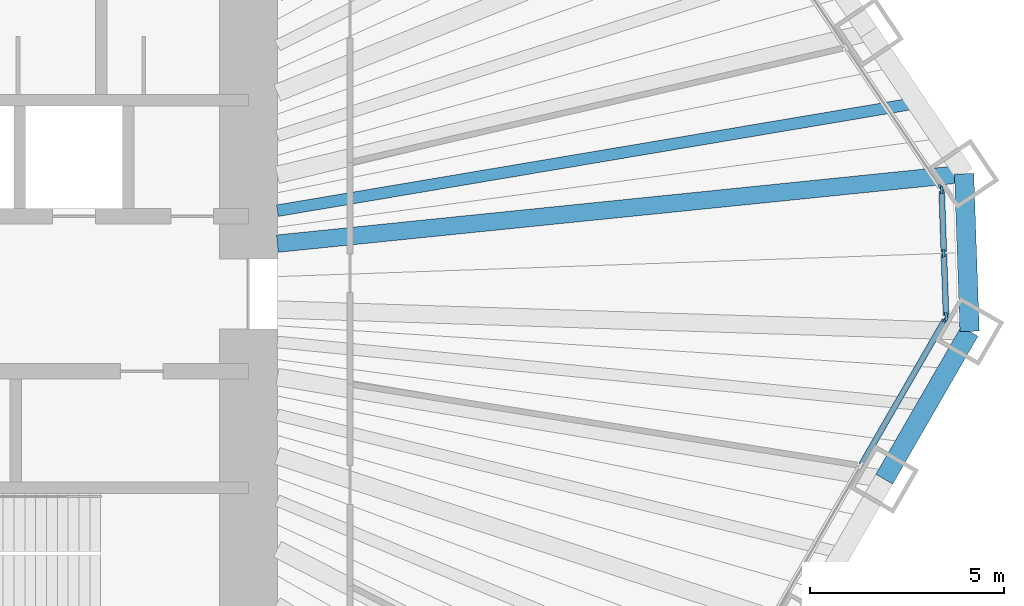
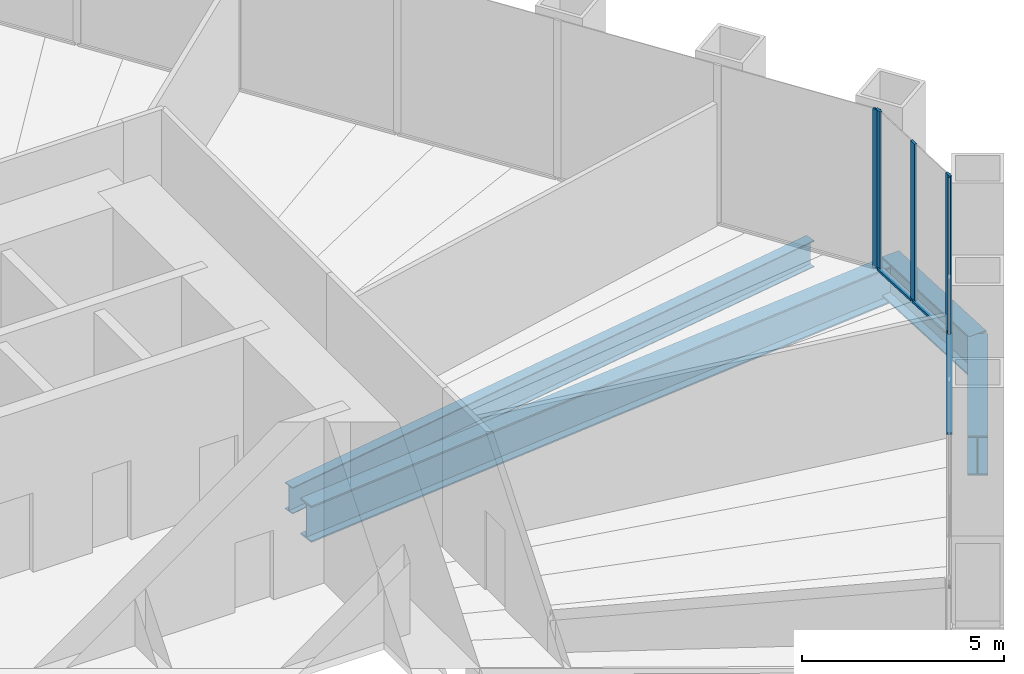
# One storey, part 5 of 13: 8 members, 4 beams, 3 elements without a shape of their own.
"""IFC4 building model written with IfcOpenShell, lengths in metres."""

from ifc_helpers import new_model, si_unit, direction, frame, origin, origin_2d, place, context, subcontext, project, spatial, rectangle, i_section, extrude, material, material_profile, profile_set, type_object, element, aggregate, save


model = new_model("IFC4")

# Units and contexts
model_context = context("Model", 3, precision=1e-05, world=origin(), true_north=direction((0.0, 1.0)))
body_context = subcontext(model_context, "Body", "Model", "MODEL_VIEW")
ifc_project = project(units=[si_unit("LENGTHUNIT", "METRE"), si_unit("AREAUNIT", "SQUARE_METRE"), si_unit("VOLUMEUNIT", "CUBIC_METRE"), si_unit("PLANEANGLEUNIT", "RADIAN"), si_unit("MASSUNIT", "GRAM", prefix="KILO")], contexts=[model_context])

# Site, building, storey
site_placement = place(None, origin())
site = spatial("IfcSite", under=ifc_project, at=site_placement, CompositionType="ELEMENT")
building_placement = place(site_placement, origin())
building = spatial("IfcBuilding", under=site, at=building_placement, Name="Qingtian Harvest Tower", CompositionType="ELEMENT")
storey_placement = place(building_placement, frame((0.0, 0.0, 72.0)))
storey = spatial("IfcBuildingStorey", under=building, at=storey_placement, Name="L14", CompositionType="ELEMENT", Elevation=72.0)

# Beams
ifc_material_1 = material(Name="Steel SM570MC", Category="steel")
ifc_material_profile_1 = material_profile(ifc_material_1, i_section(OverallWidth=0.449951171875, OverallDepth=1.10009765625, WebThickness=0.02197265625, FlangeThickness=0.044921875, at=origin_2d()), Name="H1100x450x22x45")
ifc_profile_set_1 = profile_set([ifc_material_profile_1], Name="Steel SM570MC")
beam_type_1 = type_object("IfcBeamType", Name="Corner floor beam FB8 H1100x450x22x45", PredefinedType="BEAM", material=ifc_profile_set_1)
beam_1_placement = place(storey_placement, frame((30.476318359375, 3.100830078125, -0.75), z_axis=(-0.994864371567, -0.101217005423, 0.0), x_axis=(0.101217005423, -0.994864371567, 0.0)))
element("IfcBeam", 1, at=beam_1_placement, inside=storey, type_object=beam_type_1, Name="Floor beam FB8 NE6", PredefinedType="BEAM", context=body_context, shape_type="SweptSolid", body=[
    extrude(i_section(OverallWidth=0.449951171875, OverallDepth=1.10009765625, WebThickness=0.02197265625, FlangeThickness=0.044921875, at=origin_2d()), origin(), (0.0, 0.0, 1.0), 17.81787109375),
])
ifc_material_2 = material(Name="Steel SN490B", Category="steel")
ifc_material_profile_2 = material_profile(ifc_material_2, i_section(OverallWidth=0.300048828125, OverallDepth=0.800048828125, WebThickness=0.013916015625, FlangeThickness=0.02587890625, at=origin_2d()), Name="H800x300x14x26")
ifc_profile_set_2 = profile_set([ifc_material_profile_2], Name="Steel SN490B")
beam_type_2 = type_object("IfcBeamType", Name="Floor joist J1 H800x300x14x26", PredefinedType="JOIST", material=ifc_profile_set_2)
beam_2_placement = place(storey_placement, frame((29.244873046875, 4.926513671875, -0.60009765625), z_axis=(-0.986107238024, -0.166109948877, 0.0), x_axis=(0.166109948877, -0.986107238024, 0.0)))
element("IfcBeam", 2, at=beam_2_placement, inside=storey, type_object=beam_type_2, Name="Floor joist J1 NE5", PredefinedType="JOIST", context=body_context, shape_type="SweptSolid", body=[
    extrude(i_section(OverallWidth=0.300048828125, OverallDepth=0.800048828125, WebThickness=0.013916015625, FlangeThickness=0.02587890625, at=origin_2d()), origin(), (0.0, 0.0, 1.0), 16.727294921875),
])

# Curtain wall, member
ifc_material_3 = material(Name="Bronze-anodised aluminium curtain wall", Category="aluminium")
curtain_wall_type = type_object("IfcCurtainWallType", Name="Curtain wall CW2 farm reception", PredefinedType="USERDEFINED", material=ifc_material_3)
curtain_wall_1_placement = place(storey_placement, origin())
curtain_wall_1 = element("IfcCurtainWall", 3, at=curtain_wall_1_placement, inside=storey, type_object=curtain_wall_type, Name="Curtain wall CW2 L14 NE0-5", ObjectType="RECESSED CURTAIN WALL", PredefinedType="USERDEFINED")
ifc_material_4 = material(Name="Bronze-anodised aluminium mullion", Category="aluminium")
ifc_material_profile_3 = material_profile(ifc_material_4, rectangle(XDim=0.06494140625, YDim=0.199951171875, at=origin_2d()), Name="AL 65x200")
ifc_profile_set_3 = profile_set([ifc_material_profile_3], Name="Bronze-anodised aluminium mullion")
member_type_1 = type_object("IfcMemberType", Name="Mullion CWM 65x200", PredefinedType="MULLION", material=ifc_profile_set_3)
member_1_placement = place(storey_placement, frame((29.8779296875, 2.736328125, 0.0), z_axis=(0.0, 0.0, 1.0), x_axis=(0.829037572555, 0.559192903471, 0.0)))
member_1 = element("IfcMember", 4, at=member_1_placement, type_object=member_type_1, Name="CW2 mullion 7", PredefinedType="MULLION", context=body_context, shape_type="SweptSolid", body=[
    extrude(rectangle(XDim=0.06494140625, YDim=0.199951171875, at=origin_2d()), origin(), (0.0, 0.0, 1.0), 4.800048828125),
])
aggregate(curtain_wall_1, [member_1])

# Curtain wall, members
curtain_wall_2_placement = place(storey_placement, origin())
curtain_wall_2 = element("IfcCurtainWall", 5, at=curtain_wall_2_placement, inside=storey, type_object=curtain_wall_type, Name="Curtain wall CW2 L14 NEC", ObjectType="RECESSED CURTAIN WALL", PredefinedType="USERDEFINED")
member_2_placement = place(storey_placement, frame((29.897216796875, 2.677001953125, 0.0), z_axis=(0.0, 0.0, 1.0), x_axis=(0.999390827019, 0.034899496703, 0.0)))
member_2 = element("IfcMember", 6, at=member_2_placement, type_object=member_type_1, Name="CW2 mullion 1", PredefinedType="MULLION", context=body_context, shape_type="SweptSolid", body=[
    extrude(rectangle(XDim=0.06494140625, YDim=0.199951171875, at=origin_2d()), origin(), (0.0, 0.0, 1.0), 4.800048828125),
])
member_3_placement = place(storey_placement, frame((29.9541015625, 1.046142578125, 0.0), z_axis=(0.0, 0.0, 1.0), x_axis=(0.999390827019, 0.034899496703, 0.0)))
member_3 = element("IfcMember", 7, at=member_3_placement, type_object=member_type_1, Name="CW2 mullion 2", PredefinedType="MULLION", context=body_context, shape_type="SweptSolid", body=[
    extrude(rectangle(XDim=0.06494140625, YDim=0.199951171875, at=origin_2d()), origin(), (0.0, 0.0, 1.0), 4.800048828125),
])
member_4_placement = place(storey_placement, frame((30.010986328125, -0.5849609375, 0.0), z_axis=(0.0, 0.0, 1.0), x_axis=(0.999390827019, 0.034899496703, 0.0)))
member_4 = element("IfcMember", 8, at=member_4_placement, type_object=member_type_1, Name="CW2 mullion 3", PredefinedType="MULLION", context=body_context, shape_type="SweptSolid", body=[
    extrude(rectangle(XDim=0.06494140625, YDim=0.199951171875, at=origin_2d()), origin(), (0.0, 0.0, 1.0), 4.800048828125),
])

# Curtain wall, member
curtain_wall_3_placement = place(storey_placement, origin())
curtain_wall_3 = element("IfcCurtainWall", 9, at=curtain_wall_3_placement, inside=storey, type_object=curtain_wall_type, Name="Curtain wall CW2 L14 SE0-5", ObjectType="RECESSED CURTAIN WALL", PredefinedType="USERDEFINED")
member_5_placement = place(storey_placement, frame((29.995849609375, -0.6455078125, 0.0), z_axis=(0.0, 0.0, 1.0), x_axis=(0.866025403784, -0.5, 0.0)))
member_5 = element("IfcMember", 10, at=member_5_placement, type_object=member_type_1, Name="CW2 mullion 1", PredefinedType="MULLION", context=body_context, shape_type="SweptSolid", body=[
    extrude(rectangle(XDim=0.06494140625, YDim=0.199951171875, at=origin_2d()), origin(), (0.0, 0.0, 1.0), 4.800048828125),
])

# Beams
ifc_material_5 = material(Name="Steel SM570MC", Category="steel")
ifc_material_profile_4 = material_profile(ifc_material_5, i_section(OverallWidth=0.5, OverallDepth=1.199951171875, WebThickness=0.02490234375, FlangeThickness=0.050048828125, at=origin_2d()), Name="H1200x500x25x50")
ifc_profile_set_4 = profile_set([ifc_material_profile_4], Name="Steel SM570MC")
beam_type_3 = type_object("IfcBeamType", Name="Spandrel beam SB1 H1200x500x25x50", PredefinedType="SPANDREL", material=ifc_profile_set_4)
beam_3_placement = place(storey_placement, frame((30.476318359375, 3.100830078125, -0.60009765625), z_axis=(0.03490639867, -0.999390585973, 0.0), x_axis=(0.999390585973, 0.03490639867, 0.0)))
element("IfcBeam", 11, at=beam_3_placement, inside=storey, type_object=beam_type_3, Name="Spandrel SB1 NEC", PredefinedType="SPANDREL", context=body_context, shape_type="SweptSolid", body=[
    extrude(i_section(OverallWidth=0.5, OverallDepth=1.199951171875, WebThickness=0.02490234375, FlangeThickness=0.050048828125, at=origin_2d()), origin(), (0.0, 0.0, 1.0), 4.070556640625),
])
beam_4_placement = place(storey_placement, frame((30.618408203125, -0.96728515625, -0.60009765625), z_axis=(-0.50001992892, -0.866013897511, 0.0), x_axis=(0.866013897511, -0.50001992892, 0.0)))
element("IfcBeam", 12, at=beam_4_placement, inside=storey, type_object=beam_type_3, Name="Spandrel SB1 SE0", PredefinedType="SPANDREL", context=body_context, shape_type="SweptSolid", body=[
    extrude(i_section(OverallWidth=0.5, OverallDepth=1.199951171875, WebThickness=0.02490234375, FlangeThickness=0.050048828125, at=origin_2d()), origin(), (0.0, 0.0, 1.0), 4.404541015625),
])

# Member
ifc_material_6 = material(Name="Bronze-anodised aluminium transom", Category="aluminium")
ifc_material_profile_5 = material_profile(ifc_material_6, rectangle(XDim=0.14990234375, YDim=0.06494140625, at=origin_2d()), Name="AL 65x150")
ifc_profile_set_5 = profile_set([ifc_material_profile_5], Name="Bronze-anodised aluminium transom")
member_type_2 = type_object("IfcMemberType", Name="Transom CWT 65x150", PredefinedType="USERDEFINED", material=ifc_profile_set_5)
member_6_placement = place(storey_placement, frame((29.898193359375, 2.64453125, 0.032470703125), z_axis=(0.034902326647, -0.999390728191, 0.0), x_axis=(0.999390728191, 0.034902326647, 0.0)))
member_6 = element("IfcMember", 13, at=member_6_placement, type_object=member_type_2, Name="CW2 transom 1.1", ObjectType="TRANSOM", PredefinedType="USERDEFINED", context=body_context, shape_type="SweptSolid", body=[
    extrude(rectangle(XDim=0.14990234375, YDim=0.06494140625, at=origin_2d()), origin(), (0.0, 0.0, 1.0), 1.56689453125),
])

member_7_placement = place(storey_placement, frame((29.955322265625, 1.013427734375, 0.032470703125), z_axis=(0.034902326647, -0.999390728191, 0.0), x_axis=(0.999390728191, 0.034902326647, 0.0)))
member_7 = element("IfcMember", 14, at=member_7_placement, type_object=member_type_2, Name="CW2 transom 2.1", ObjectType="TRANSOM", PredefinedType="USERDEFINED", context=body_context, shape_type="SweptSolid", body=[
    extrude(rectangle(XDim=0.14990234375, YDim=0.06494140625, at=origin_2d()), origin(), (0.0, 0.0, 1.0), 1.56689453125),
])

aggregate(curtain_wall_2, [member_2, member_3, member_4, member_6, member_7])

member_8_placement = place(storey_placement, frame((29.979736328125, -0.673583984375, 0.032470703125), z_axis=(-0.499985768833, -0.866033619997, 0.0), x_axis=(0.866033619997, -0.499985768833, 0.0)))
member_8 = element("IfcMember", 15, at=member_8_placement, type_object=member_type_2, Name="CW2 transom 1.1", ObjectType="TRANSOM", PredefinedType="USERDEFINED", context=body_context, shape_type="SweptSolid", body=[
    extrude(rectangle(XDim=0.14990234375, YDim=0.06494140625, at=origin_2d()), origin(), (0.0, 0.0, 1.0), 4.307373046875),
])

aggregate(curtain_wall_3, [member_5, member_8])

save(model, "model.ifc")
